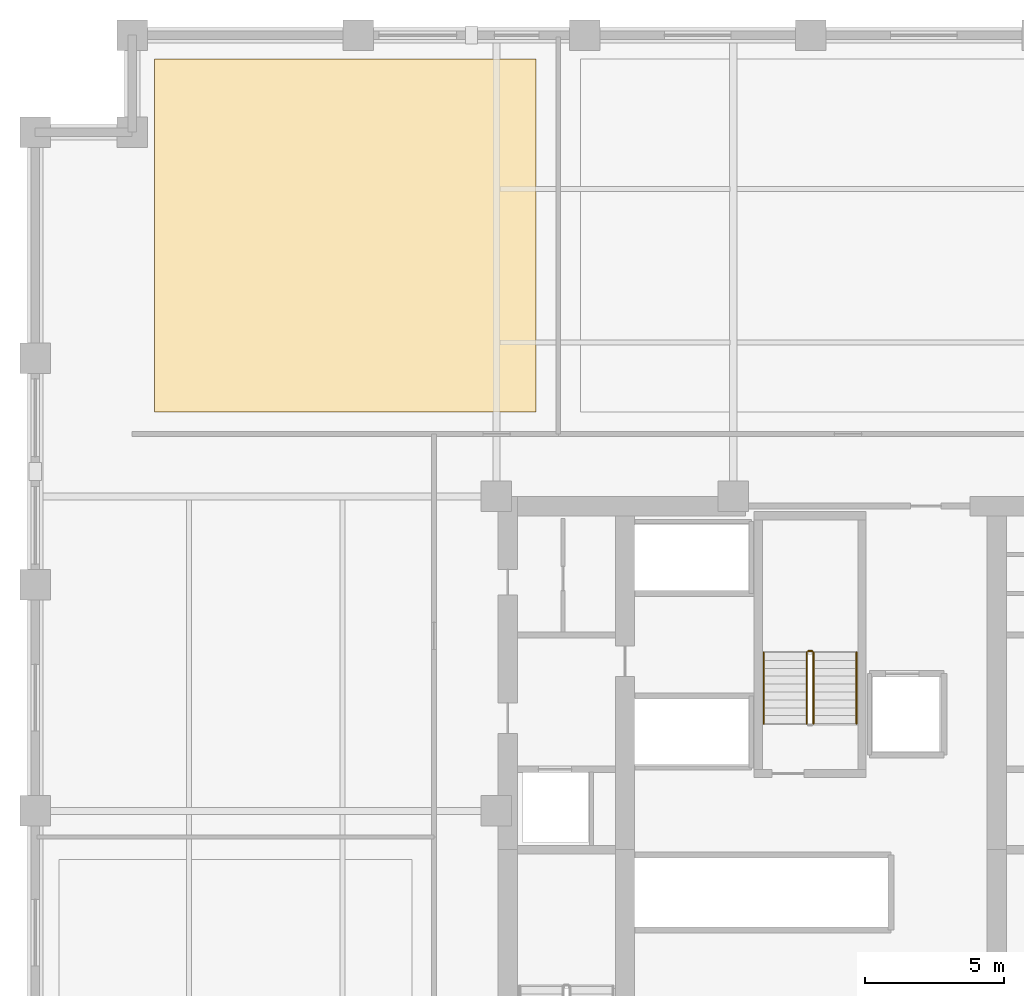
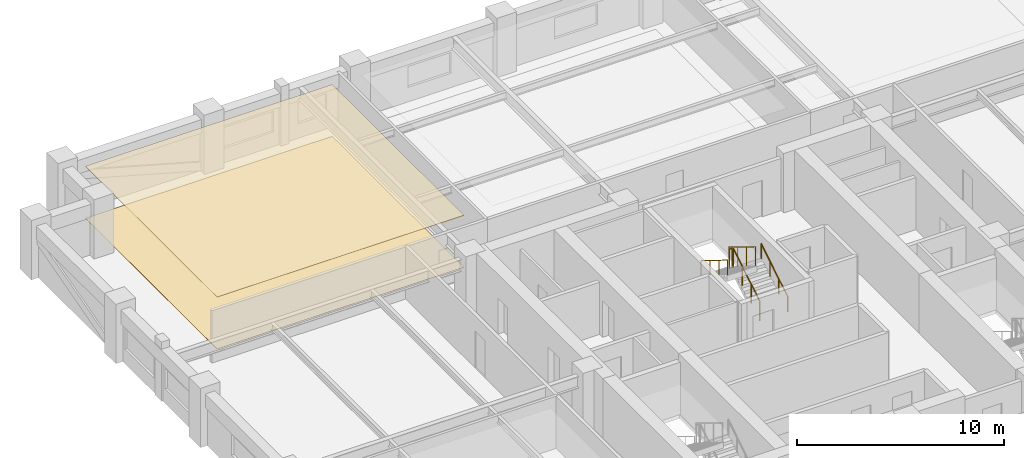
# One storey, part 11 of 12: 5 railings, 2 coverings.
"""IFC4 building model written with IfcOpenShell, lengths in metres."""

from ifc_helpers import new_model, si_unit, direction, frame, origin, origin_2d, place, context, subcontext, project, spatial, polyline, circle, outline, extrude, material, layer, layer_set, type_object, element, save


model = new_model("IFC4")

# Units and contexts
model_context = context("Model", 3, precision=1e-05, world=origin(), true_north=direction((0.0, 1.0)))
body_context = subcontext(model_context, "Body", "Model", "MODEL_VIEW")
ifc_project = project(units=[si_unit("LENGTHUNIT", "METRE"), si_unit("AREAUNIT", "SQUARE_METRE"), si_unit("VOLUMEUNIT", "CUBIC_METRE"), si_unit("PLANEANGLEUNIT", "RADIAN"), si_unit("MASSUNIT", "GRAM", prefix="KILO")], contexts=[model_context])

# Site, building, storey
site_placement = place(None, origin())
site = spatial("IfcSite", under=ifc_project, at=site_placement, CompositionType="ELEMENT")
building_placement = place(site_placement, origin())
building = spatial("IfcBuilding", under=site, at=building_placement, Name="Nhamokura Convention Tower", CompositionType="ELEMENT")
storey_placement = place(building_placement, frame((0.0, 0.0, 96.25)))
storey = spatial("IfcBuildingStorey", under=building, at=storey_placement, Name="L23", CompositionType="ELEMENT", Elevation=96.25)

# Covering
ifc_material_1 = material(Name="Mineral-fibre acoustic ceiling tile", Category="gypsum")
ifc_layer_1 = layer(ifc_material_1, 0.02490234375)
ifc_layer_set_1 = layer_set([ifc_layer_1], Name="AcousticTileCeiling_25")
covering_type_1 = type_object("IfcCoveringType", Name="AcousticTileCeiling_25", PredefinedType="CEILING", material=ifc_layer_set_1)
covering_1_placement = place(storey_placement, frame((0.0, 0.0, 3.054931640625)))
element("IfcCovering", 1, at=covering_1_placement, inside=storey, type_object=covering_type_1, Name="L23 Suspended Ceiling 03", PredefinedType="CEILING", context=body_context, shape_type="SweptSolid", body=[
    extrude(outline(polyline([(8.300048828125, 46.39990234375), (22.083251953125, 46.39990234375), (22.083251953125, 59.139892578125), (8.300048828125, 59.139892578125), (8.300048828125, 46.39990234375)])), origin(), (0.0, 0.0, 1.0), 0.025146484375),
])

# Railings
ifc_material_2 = material(Name="Anodised bronze stainless steel", Category="steel")
railing_type_1 = type_object("IfcRailingType", Name="StairWallHandrail_900", PredefinedType="HANDRAIL", material=ifc_material_2)
railing_1_placement = place(storey_placement, frame((33.64990234375, 35.14990234375, 0.175048828125)))
element("IfcRailing", 2, at=railing_1_placement, inside=storey, type_object=railing_type_1, Name="L23 ST-03 stair handrail 1", PredefinedType="HANDRAIL", context=body_context, shape_type="SweptSolid", body=[
    extrude(circle(Radius=0.02392578125, at=origin_2d()), frame((0.0, 0.0, 0.8759765625), z_axis=(0.0, 0.852195335862, 0.523223766217), x_axis=(-1.0, 0.0, 0.0)), (0.0, 0.0, 1.0), 3.010009765625),
    extrude(circle(Radius=0.02099609375, at=origin_2d()), origin(), (0.0, 0.0, 1.0), 0.851806640625),
    extrude(circle(Radius=0.02099609375, at=origin_2d()), frame((0.0, 0.85498046875, 0.52490234375)), (0.0, 0.0, 1.0), 0.851806640625),
    extrude(circle(Radius=0.02099609375, at=origin_2d()), frame((0.0, 1.710205078125, 1.050048828125)), (0.0, 0.0, 1.0), 0.851806640625),
    extrude(circle(Radius=0.02099609375, at=origin_2d()), frame((0.0, 2.565185546875, 1.574951171875)), (0.0, 0.0, 1.0), 0.851806640625),
])
railing_2_placement = place(storey_placement, frame((30.300048828125, 37.715087890625, 1.925048828125)))
element("IfcRailing", 3, at=railing_2_placement, inside=storey, type_object=railing_type_1, Name="L23 ST-03 stair handrail 2", PredefinedType="HANDRAIL", context=body_context, shape_type="SweptSolid", body=[
    extrude(circle(Radius=0.02392578125, at=origin_2d()), frame((0.0, 0.0, 0.8759765625), z_axis=(0.0, -0.852195335862, 0.523223766217), x_axis=(1.0, 0.0, 0.0)), (0.0, 0.0, 1.0), 3.010009765625),
    extrude(circle(Radius=0.02099609375, at=origin_2d()), origin(), (0.0, 0.0, 1.0), 0.851806640625),
    extrude(circle(Radius=0.02099609375, at=origin_2d()), frame((0.0, -0.85498046875, 0.52490234375)), (0.0, 0.0, 1.0), 0.851806640625),
    extrude(circle(Radius=0.02099609375, at=origin_2d()), frame((0.0, -1.710205078125, 1.050048828125)), (0.0, 0.0, 1.0), 0.851806640625),
    extrude(circle(Radius=0.02099609375, at=origin_2d()), frame((0.0, -2.565185546875, 1.574951171875)), (0.0, 0.0, 1.0), 0.851806640625),
])
ifc_material_3 = material(Name="Painted tubular steel", Category="steel")
railing_type_2 = type_object("IfcRailingType", Name="StairWellGuardrail_1150", PredefinedType="GUARDRAIL", material=ifc_material_3)
railing_3_placement = place(storey_placement, frame((32.10009765625, 35.14990234375, 0.175048828125)))
element("IfcRailing", 4, at=railing_3_placement, inside=storey, type_object=railing_type_2, Name="L23 ST-03 stair guard 1", PredefinedType="GUARDRAIL", context=body_context, shape_type="SweptSolid", body=[
    extrude(circle(Radius=0.02392578125, at=origin_2d()), frame((0.0, 0.0, 1.1259765625), z_axis=(0.0, 0.852195335862, 0.523223766217), x_axis=(-1.0, 0.0, 0.0)), (0.0, 0.0, 1.0), 3.010009765625),
    extrude(circle(Radius=0.02099609375, at=origin_2d()), origin(), (0.0, 0.0, 1.0), 1.101806640625),
    extrude(circle(Radius=0.02099609375, at=origin_2d()), frame((0.0, 0.85498046875, 0.52490234375)), (0.0, 0.0, 1.0), 1.101806640625),
    extrude(circle(Radius=0.02099609375, at=origin_2d()), frame((0.0, 1.710205078125, 1.050048828125)), (0.0, 0.0, 1.0), 1.101806640625),
    extrude(circle(Radius=0.02099609375, at=origin_2d()), frame((0.0, 2.565185546875, 1.574951171875)), (0.0, 0.0, 1.0), 1.101806640625),
])
railing_4_placement = place(storey_placement, frame((32.050048828125, 37.764892578125, 1.75)))
element("IfcRailing", 5, at=railing_4_placement, inside=storey, type_object=railing_type_2, Name="L23 ST-03 stair guard 2", PredefinedType="GUARDRAIL", context=body_context, shape_type="SweptSolid", body=[
    extrude(circle(Radius=0.02392578125, at=origin_2d()), frame((0.0, 0.0, 1.1259765625), z_axis=(-1.0, 0.0, 0.0), x_axis=(0.0, -1.0, 0.0)), (0.0, 0.0, 1.0), 0.150146484375),
    extrude(circle(Radius=0.02099609375, at=origin_2d()), origin(), (0.0, 0.0, 1.0), 1.101806640625),
    extrude(circle(Radius=0.02099609375, at=origin_2d()), frame((-0.150146484375, 0.0, 0.0)), (0.0, 0.0, 1.0), 1.101806640625),
])
railing_5_placement = place(storey_placement, frame((31.85009765625, 37.715087890625, 1.925048828125)))
element("IfcRailing", 6, at=railing_5_placement, inside=storey, type_object=railing_type_2, Name="L23 ST-03 stair guard 3", PredefinedType="GUARDRAIL", context=body_context, shape_type="SweptSolid", body=[
    extrude(circle(Radius=0.02392578125, at=origin_2d()), frame((0.0, 0.0, 1.1259765625), z_axis=(0.0, -0.852195335862, 0.523223766217), x_axis=(1.0, 0.0, 0.0)), (0.0, 0.0, 1.0), 3.010009765625),
    extrude(circle(Radius=0.02099609375, at=origin_2d()), origin(), (0.0, 0.0, 1.0), 1.101806640625),
    extrude(circle(Radius=0.02099609375, at=origin_2d()), frame((0.0, -0.85498046875, 0.52490234375)), (0.0, 0.0, 1.0), 1.101806640625),
    extrude(circle(Radius=0.02099609375, at=origin_2d()), frame((0.0, -1.710205078125, 1.050048828125)), (0.0, 0.0, 1.0), 1.101806640625),
    extrude(circle(Radius=0.02099609375, at=origin_2d()), frame((0.0, -2.565185546875, 1.574951171875)), (0.0, 0.0, 1.0), 1.101806640625),
])

# Covering
ifc_material_4 = material(Name="Acoustic woven hospitality carpet", Category="wood")
ifc_layer_2 = layer(ifc_material_4, 0.014892578125)
ifc_layer_set_2 = layer_set([ifc_layer_2], Name="WovenCarpetFlooring_15")
covering_type_2 = type_object("IfcCoveringType", Name="WovenCarpetFlooring_15", PredefinedType="FLOORING", material=ifc_layer_set_2)
covering_2_placement = place(storey_placement, origin())
element("IfcCovering", 7, at=covering_2_placement, inside=storey, type_object=covering_type_2, Name="L23 Finish Flooring 03", PredefinedType="FLOORING", context=body_context, shape_type="SweptSolid", body=[
    extrude(outline(polyline([(8.300048828125, 46.39990234375), (22.083251953125, 46.39990234375), (22.083251953125, 59.139892578125), (8.300048828125, 59.139892578125), (8.300048828125, 46.39990234375)])), origin(), (0.0, 0.0, 1.0), 0.014892578125),
])

save(model, "model.ifc")
